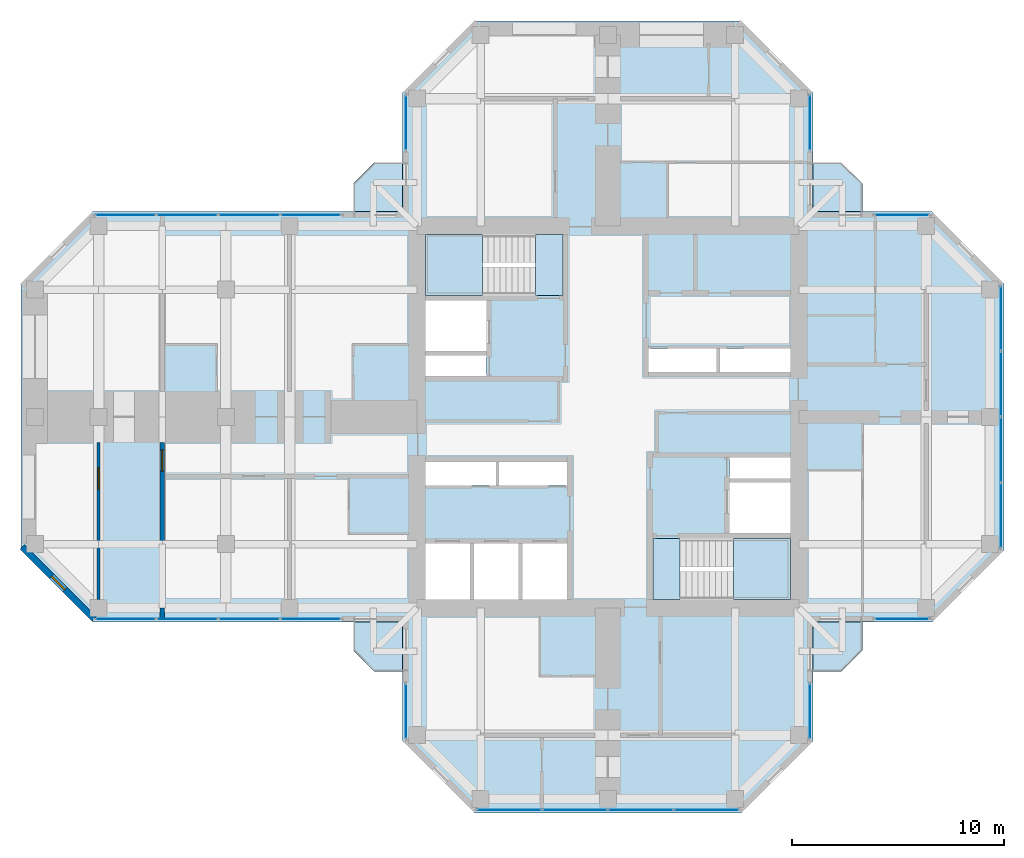
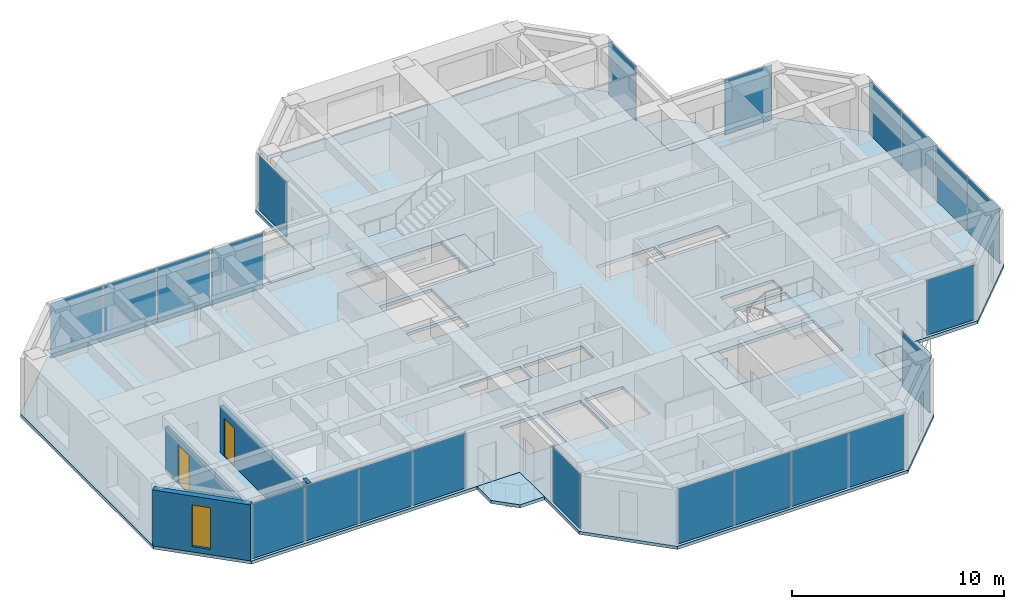
# One storey, part 7 of 13: 22 plates, 9 slabs, 4 walls, 2 doors, 1 window, 3 openings, 12 elements without a shape of their own.
"""IFC4 building model written with IfcOpenShell, lengths in metres."""

from ifc_helpers import new_model, si_unit, direction, frame, frame_2d, origin, origin_2d, place, context, subcontext, project, spatial, polyline, rectangle, hollow_rectangle, outline, extrude, material, layer, layer_set, constituent, constituent_set, type_object, element, fill, aggregate, save


model = new_model("IFC4")

# Units and contexts
model_context = context("Model", 3, precision=1e-05, world=origin(), true_north=direction((0.0, 1.0)))
body_context = subcontext(model_context, "Body", "Model", "MODEL_VIEW")
ifc_project = project(units=[si_unit("LENGTHUNIT", "METRE"), si_unit("AREAUNIT", "SQUARE_METRE"), si_unit("VOLUMEUNIT", "CUBIC_METRE"), si_unit("PLANEANGLEUNIT", "RADIAN"), si_unit("MASSUNIT", "GRAM", prefix="KILO")], contexts=[model_context])

# Site, building, storey
site_placement = place(None, origin())
site = spatial("IfcSite", under=ifc_project, at=site_placement, CompositionType="ELEMENT")
building_placement = place(site_placement, origin())
building = spatial("IfcBuilding", under=site, at=building_placement, Name="Torre Cruceta", CompositionType="ELEMENT")
storey_placement = place(building_placement, frame((0.0, 0.0, 245.89990234375)))
storey = spatial("IfcBuildingStorey", under=building, at=storey_placement, Name="L63", CompositionType="ELEMENT", Elevation=245.89990234375)

# Slabs
ifc_material_1 = material(Name="Concrete G35 (fck 35 MPa)", Category="concrete")
ifc_layer_1 = layer(ifc_material_1, 0.179931640625)
ifc_layer_set_1 = layer_set([ifc_layer_1], Name="Concrete G35 (fck 35 MPa)")
slab_type_1 = type_object("IfcSlabType", Name="BALCONY SLAB 180", PredefinedType="USERDEFINED", material=ifc_layer_set_1)
slab_1_placement = place(storey_placement, frame((0.0, 0.0, -0.179931640625)))
element("IfcSlab", 1, at=slab_1_placement, inside=storey, type_object=slab_type_1, Name="Balcony slab L63 N", ObjectType="BALCONY", PredefinedType="USERDEFINED", context=body_context, shape_type="SweptSolid", body=[
    extrude(outline(polyline([(-12.0, 11.0), (-11.0, 12.0), (-9.669921875, 12.0), (-9.669921875, 9.669921875), (-12.0, 9.669921875), (-12.0, 11.0)])), origin(), (0.0, 0.0, 1.0), 0.179931640625),
])
slab_2_placement = place(storey_placement, frame((0.0, 0.0, -0.179931640625)))
element("IfcSlab", 2, at=slab_2_placement, inside=storey, type_object=slab_type_1, Name="Balcony slab L63 E", ObjectType="BALCONY", PredefinedType="USERDEFINED", context=body_context, shape_type="SweptSolid", body=[
    extrude(outline(polyline([(11.0, 12.0), (12.0, 11.0), (12.0, 9.669921875), (9.669921875, 9.669921875), (9.669921875, 12.0), (11.0, 12.0)])), origin(), (0.0, 0.0, 1.0), 0.179931640625),
])
slab_3_placement = place(storey_placement, frame((0.0, 0.0, -0.179931640625)))
element("IfcSlab", 3, at=slab_3_placement, inside=storey, type_object=slab_type_1, Name="Balcony slab L63 S", ObjectType="BALCONY", PredefinedType="USERDEFINED", context=body_context, shape_type="SweptSolid", body=[
    extrude(outline(polyline([(12.0, -11.0), (11.0, -12.0), (9.669921875, -12.0), (9.669921875, -9.669921875), (12.0, -9.669921875), (12.0, -11.0)])), origin(), (0.0, 0.0, 1.0), 0.179931640625),
])
slab_4_placement = place(storey_placement, frame((0.0, 0.0, -0.179931640625)))
element("IfcSlab", 4, at=slab_4_placement, inside=storey, type_object=slab_type_1, Name="Balcony slab L63 W", ObjectType="BALCONY", PredefinedType="USERDEFINED", context=body_context, shape_type="SweptSolid", body=[
    extrude(outline(polyline([(-11.0, -12.0), (-12.0, -11.0), (-12.0, -9.669921875), (-9.669921875, -9.669921875), (-9.669921875, -12.0), (-11.0, -12.0)])), origin(), (0.0, 0.0, 1.0), 0.179931640625),
])

# Curtain wall, plate
ifc_material_2 = material(Name="Aluminium unitised curtain wall", Category="aluminium")
curtain_wall_type = type_object("IfcCurtainWallType", Name="CURTAIN WALL CW-D CO-LIVING UPPER", PredefinedType="USERDEFINED", material=ifc_material_2)
curtain_wall_1_placement = place(storey_placement, origin())
curtain_wall_1 = element("IfcCurtainWall", 5, at=curtain_wall_1_placement, inside=storey, type_object=curtain_wall_type, Name="CW-D L63 E tip 02", ObjectType="UNITISED", PredefinedType="USERDEFINED")
ifc_material_3 = material(Name="Laminated insulating glass unit, diagonal frit 50 %", Category="glass")
ifc_material_4 = material(Name="Laminated insulating glass unit, diagonal frit 50 %", Category="glass")
ifc_layer_2 = layer(ifc_material_4, 0.028076171875)
ifc_layer_set_2 = layer_set([ifc_layer_2], Name="Laminated insulating glass unit, diagonal frit 50 %")
plate_type_1 = type_object("IfcPlateType", Name="CW-D OPERABLE VENT PANEL 28", PredefinedType="CURTAIN_PANEL", material=ifc_layer_set_2)
plate_1_placement = place(storey_placement, frame((18.52001953125, -1.553955078125, 0.01025390625), z_axis=(0.0, 0.0, 1.0), x_axis=(0.0, 1.0, 0.0)))
plate_1 = element("IfcPlate", 6, at=plate_1_placement, type_object=plate_type_1, material=ifc_material_3, Name="CW-D vent 2", PredefinedType="CURTAIN_PANEL", context=body_context, shape_type="SweptSolid", body=[
    extrude(rectangle(XDim=3.047607421875, YDim=0.028076171875, at=origin_2d()), origin(), (0.0, 0.0, 1.0), 3.14990234375),
])

curtain_wall_2_placement = place(storey_placement, origin())
curtain_wall_2 = element("IfcCurtainWall", 7, at=curtain_wall_2_placement, inside=storey, type_object=curtain_wall_type, Name="CW-D L63 W side 10", ObjectType="UNITISED", PredefinedType="USERDEFINED")
plate_2_placement = place(storey_placement, frame((-16.90576171875, 9.52001953125, 0.01025390625), z_axis=(0.0, 0.0, 1.0), x_axis=(-1.0, 0.0, 0.0)))
plate_2 = element("IfcPlate", 8, at=plate_2_placement, type_object=plate_type_1, material=ifc_material_3, Name="CW-D vent 2", PredefinedType="CURTAIN_PANEL", context=body_context, shape_type="SweptSolid", body=[
    extrude(rectangle(XDim=2.86376953125, YDim=0.028076171875, at=origin_2d()), origin(), (0.0, 0.0, 1.0), 3.14990234375),
])

curtain_wall_3_placement = place(storey_placement, origin())
curtain_wall_3 = element("IfcCurtainWall", 9, at=curtain_wall_3_placement, inside=storey, type_object=curtain_wall_type, Name="CW-D L63 W side 14", ObjectType="UNITISED", PredefinedType="USERDEFINED")
plate_3_placement = place(storey_placement, frame((-19.82958984375, -9.52001953125, 0.01025390625), z_axis=(0.0, 0.0, 1.0), x_axis=(1.0, 0.0, 0.0)))
plate_3 = element("IfcPlate", 10, at=plate_3_placement, type_object=plate_type_1, material=ifc_material_3, Name="CW-D vent 2", PredefinedType="CURTAIN_PANEL", context=body_context, shape_type="SweptSolid", body=[
    extrude(rectangle(XDim=2.86376953125, YDim=0.028076171875, at=origin_2d()), origin(), (0.0, 0.0, 1.0), 3.14990234375),
])

curtain_wall_4_placement = place(storey_placement, origin())
curtain_wall_4 = element("IfcCurtainWall", 11, at=curtain_wall_4_placement, inside=storey, type_object=curtain_wall_type, Name="CW-D L63 S tip 17", ObjectType="UNITISED", PredefinedType="USERDEFINED")
plate_4_placement = place(storey_placement, frame((-1.553955078125, -18.52001953125, 0.01025390625), z_axis=(0.0, 0.0, 1.0), x_axis=(1.0, 0.0, 0.0)))
plate_4 = element("IfcPlate", 12, at=plate_4_placement, type_object=plate_type_1, material=ifc_material_3, Name="CW-D vent 2", PredefinedType="CURTAIN_PANEL", context=body_context, shape_type="SweptSolid", body=[
    extrude(rectangle(XDim=3.047607421875, YDim=0.028076171875, at=origin_2d()), origin(), (0.0, 0.0, 1.0), 3.14990234375),
])

curtain_wall_5_placement = place(storey_placement, origin())
curtain_wall_5 = element("IfcCurtainWall", 13, at=curtain_wall_5_placement, inside=storey, type_object=curtain_wall_type, Name="CW-D L63 E side 00", ObjectType="UNITISED", PredefinedType="USERDEFINED")
ifc_material_5 = material(Name="Laminated insulating glass unit, diagonal frit 50 %", Category="glass")
ifc_layer_3 = layer(ifc_material_5, 0.028076171875)
ifc_layer_set_3 = layer_set([ifc_layer_3], Name="Laminated insulating glass unit, diagonal frit 50 %")
plate_type_2 = type_object("IfcPlateType", Name="CW-D PANEL 28", PredefinedType="CURTAIN_PANEL", material=ifc_layer_set_3)
plate_5_placement = place(storey_placement, frame((13.86767578125, -9.52001953125, 0.01025390625), z_axis=(0.0, 0.0, 1.0), x_axis=(1.0, 0.0, 0.0)))
plate_5 = element("IfcPlate", 14, at=plate_5_placement, type_object=plate_type_2, material=ifc_material_3, Name="CW-D panel 1", PredefinedType="CURTAIN_PANEL", context=body_context, shape_type="SweptSolid", body=[
    extrude(rectangle(XDim=2.575439453125, YDim=0.028076171875, at=origin_2d()), origin(), (0.0, 0.0, 1.0), 3.14990234375),
])
aggregate(curtain_wall_5, [plate_5])

# Plate
plate_6_placement = place(storey_placement, frame((18.52001953125, -4.646484375, 0.01025390625), z_axis=(0.0, 0.0, 1.0), x_axis=(0.0, 1.0, 0.0)))
plate_6 = element("IfcPlate", 15, at=plate_6_placement, type_object=plate_type_2, material=ifc_material_3, Name="CW-D panel 1", PredefinedType="CURTAIN_PANEL", context=body_context, shape_type="SweptSolid", body=[
    extrude(rectangle(XDim=3.017578125, YDim=0.028076171875, at=origin_2d()), origin(), (0.0, 0.0, 1.0), 3.14990234375),
])

plate_7_placement = place(storey_placement, frame((18.52001953125, 1.553955078125, 0.01025390625), z_axis=(0.0, 0.0, 1.0), x_axis=(0.0, 1.0, 0.0)))
plate_7 = element("IfcPlate", 16, at=plate_7_placement, type_object=plate_type_2, material=ifc_material_3, Name="CW-D panel 3", PredefinedType="CURTAIN_PANEL", context=body_context, shape_type="SweptSolid", body=[
    extrude(rectangle(XDim=3.047607421875, YDim=0.028076171875, at=origin_2d()), origin(), (0.0, 0.0, 1.0), 3.14990234375),
])

ifc_material_6 = material(Name="Laminated insulating glass unit, low-iron clear", Category="glass")
plate_8_placement = place(storey_placement, frame((18.52001953125, 4.646484375, 0.01025390625), z_axis=(0.0, 0.0, 1.0), x_axis=(0.0, 1.0, 0.0)))
plate_8 = element("IfcPlate", 17, at=plate_8_placement, type_object=plate_type_2, material=ifc_material_6, Name="CW-D panel 4", PredefinedType="CURTAIN_PANEL", context=body_context, shape_type="SweptSolid", body=[
    extrude(rectangle(XDim=3.017578125, YDim=0.028076171875, at=origin_2d()), origin(), (0.0, 0.0, 1.0), 3.14990234375),
])

aggregate(curtain_wall_1, [plate_6, plate_1, plate_7, plate_8])

# Curtain wall, plate
curtain_wall_6_placement = place(storey_placement, origin())
curtain_wall_6 = element("IfcCurtainWall", 18, at=curtain_wall_6_placement, inside=storey, type_object=curtain_wall_type, Name="CW-D L63 E side 04", ObjectType="UNITISED", PredefinedType="USERDEFINED")
plate_9_placement = place(storey_placement, frame((13.86767578125, 9.52001953125, 0.01025390625), z_axis=(0.0, 0.0, 1.0), x_axis=(-1.0, 0.0, 0.0)))
plate_9 = element("IfcPlate", 19, at=plate_9_placement, type_object=plate_type_2, material=ifc_material_3, Name="CW-D panel 1", PredefinedType="CURTAIN_PANEL", context=body_context, shape_type="SweptSolid", body=[
    extrude(rectangle(XDim=2.575439453125, YDim=0.028076171875, at=origin_2d()), origin(), (0.0, 0.0, 1.0), 3.14990234375),
])
aggregate(curtain_wall_6, [plate_9])

curtain_wall_7_placement = place(storey_placement, origin())
curtain_wall_7 = element("IfcCurtainWall", 20, at=curtain_wall_7_placement, inside=storey, type_object=curtain_wall_type, Name="CW-D L63 N side 05", ObjectType="UNITISED", PredefinedType="USERDEFINED")
plate_10_placement = place(storey_placement, frame((9.52001953125, 13.86767578125, 0.01025390625), z_axis=(0.0, 0.0, 1.0), x_axis=(0.0, 1.0, 0.0)))
plate_10 = element("IfcPlate", 21, at=plate_10_placement, type_object=plate_type_2, material=ifc_material_3, Name="CW-D panel 1", PredefinedType="CURTAIN_PANEL", context=body_context, shape_type="SweptSolid", body=[
    extrude(rectangle(XDim=2.575439453125, YDim=0.028076171875, at=origin_2d()), origin(), (0.0, 0.0, 1.0), 3.14990234375),
])
aggregate(curtain_wall_7, [plate_10])

curtain_wall_8_placement = place(storey_placement, origin())
curtain_wall_8 = element("IfcCurtainWall", 22, at=curtain_wall_8_placement, inside=storey, type_object=curtain_wall_type, Name="CW-D L63 N side 09", ObjectType="UNITISED", PredefinedType="USERDEFINED")
plate_11_placement = place(storey_placement, frame((-9.52001953125, 13.86767578125, 0.01025390625), z_axis=(0.0, 0.0, 1.0), x_axis=(0.0, -1.0, 0.0)))
plate_11 = element("IfcPlate", 23, at=plate_11_placement, type_object=plate_type_2, material=ifc_material_3, Name="CW-D panel 1", PredefinedType="CURTAIN_PANEL", context=body_context, shape_type="SweptSolid", body=[
    extrude(rectangle(XDim=2.575439453125, YDim=0.028076171875, at=origin_2d()), origin(), (0.0, 0.0, 1.0), 3.14990234375),
])
aggregate(curtain_wall_8, [plate_11])

# Plate
plate_12_placement = place(storey_placement, frame((-13.996826171875, 9.52001953125, 0.01025390625), z_axis=(0.0, 0.0, 1.0), x_axis=(-1.0, 0.0, 0.0)))
plate_12 = element("IfcPlate", 24, at=plate_12_placement, type_object=plate_type_2, material=ifc_material_3, Name="CW-D panel 1", PredefinedType="CURTAIN_PANEL", context=body_context, shape_type="SweptSolid", body=[
    extrude(rectangle(XDim=2.833740234375, YDim=0.028076171875, at=origin_2d()), origin(), (0.0, 0.0, 1.0), 3.14990234375),
])

plate_13_placement = place(storey_placement, frame((-19.82958984375, 9.52001953125, 0.01025390625), z_axis=(0.0, 0.0, 1.0), x_axis=(-1.0, 0.0, 0.0)))
plate_13 = element("IfcPlate", 25, at=plate_13_placement, type_object=plate_type_2, material=ifc_material_3, Name="CW-D panel 3", PredefinedType="CURTAIN_PANEL", context=body_context, shape_type="SweptSolid", body=[
    extrude(rectangle(XDim=2.86376953125, YDim=0.028076171875, at=origin_2d()), origin(), (0.0, 0.0, 1.0), 3.14990234375),
])

plate_14_placement = place(storey_placement, frame((-22.738525390625, 9.52001953125, 0.01025390625), z_axis=(0.0, 0.0, 1.0), x_axis=(-1.0, 0.0, 0.0)))
plate_14 = element("IfcPlate", 26, at=plate_14_placement, type_object=plate_type_2, material=ifc_material_6, Name="CW-D panel 4", PredefinedType="CURTAIN_PANEL", context=body_context, shape_type="SweptSolid", body=[
    extrude(rectangle(XDim=2.833740234375, YDim=0.028076171875, at=origin_2d()), origin(), (0.0, 0.0, 1.0), 3.14990234375),
])

aggregate(curtain_wall_2, [plate_12, plate_2, plate_13, plate_14])

plate_15_placement = place(storey_placement, frame((-22.738525390625, -9.52001953125, 0.01025390625), z_axis=(0.0, 0.0, 1.0), x_axis=(1.0, 0.0, 0.0)))
plate_15 = element("IfcPlate", 27, at=plate_15_placement, type_object=plate_type_2, material=ifc_material_3, Name="CW-D panel 1", PredefinedType="CURTAIN_PANEL", context=body_context, shape_type="SweptSolid", body=[
    extrude(rectangle(XDim=2.833740234375, YDim=0.028076171875, at=origin_2d()), origin(), (0.0, 0.0, 1.0), 3.14990234375),
])

plate_16_placement = place(storey_placement, frame((-16.90576171875, -9.52001953125, 0.01025390625), z_axis=(0.0, 0.0, 1.0), x_axis=(1.0, 0.0, 0.0)))
plate_16 = element("IfcPlate", 28, at=plate_16_placement, type_object=plate_type_2, material=ifc_material_3, Name="CW-D panel 3", PredefinedType="CURTAIN_PANEL", context=body_context, shape_type="SweptSolid", body=[
    extrude(rectangle(XDim=2.86376953125, YDim=0.028076171875, at=origin_2d()), origin(), (0.0, 0.0, 1.0), 3.14990234375),
])

plate_17_placement = place(storey_placement, frame((-13.996826171875, -9.52001953125, 0.01025390625), z_axis=(0.0, 0.0, 1.0), x_axis=(1.0, 0.0, 0.0)))
plate_17 = element("IfcPlate", 29, at=plate_17_placement, type_object=plate_type_2, material=ifc_material_6, Name="CW-D panel 4", PredefinedType="CURTAIN_PANEL", context=body_context, shape_type="SweptSolid", body=[
    extrude(rectangle(XDim=2.833740234375, YDim=0.028076171875, at=origin_2d()), origin(), (0.0, 0.0, 1.0), 3.14990234375),
])

aggregate(curtain_wall_3, [plate_15, plate_3, plate_16, plate_17])

# Curtain wall, plate
curtain_wall_9_placement = place(storey_placement, origin())
curtain_wall_9 = element("IfcCurtainWall", 30, at=curtain_wall_9_placement, inside=storey, type_object=curtain_wall_type, Name="CW-D L63 S side 15", ObjectType="UNITISED", PredefinedType="USERDEFINED")
plate_18_placement = place(storey_placement, frame((-9.52001953125, -13.86767578125, 0.01025390625), z_axis=(0.0, 0.0, 1.0), x_axis=(0.0, -1.0, 0.0)))
plate_18 = element("IfcPlate", 31, at=plate_18_placement, type_object=plate_type_2, material=ifc_material_3, Name="CW-D panel 1", PredefinedType="CURTAIN_PANEL", context=body_context, shape_type="SweptSolid", body=[
    extrude(rectangle(XDim=2.575439453125, YDim=0.028076171875, at=origin_2d()), origin(), (0.0, 0.0, 1.0), 3.14990234375),
])
aggregate(curtain_wall_9, [plate_18])

# Plate
plate_19_placement = place(storey_placement, frame((-4.646484375, -18.52001953125, 0.01025390625), z_axis=(0.0, 0.0, 1.0), x_axis=(1.0, 0.0, 0.0)))
plate_19 = element("IfcPlate", 32, at=plate_19_placement, type_object=plate_type_2, material=ifc_material_3, Name="CW-D panel 1", PredefinedType="CURTAIN_PANEL", context=body_context, shape_type="SweptSolid", body=[
    extrude(rectangle(XDim=3.017578125, YDim=0.028076171875, at=origin_2d()), origin(), (0.0, 0.0, 1.0), 3.14990234375),
])

plate_20_placement = place(storey_placement, frame((1.553955078125, -18.52001953125, 0.01025390625), z_axis=(0.0, 0.0, 1.0), x_axis=(1.0, 0.0, 0.0)))
plate_20 = element("IfcPlate", 33, at=plate_20_placement, type_object=plate_type_2, material=ifc_material_3, Name="CW-D panel 3", PredefinedType="CURTAIN_PANEL", context=body_context, shape_type="SweptSolid", body=[
    extrude(rectangle(XDim=3.047607421875, YDim=0.028076171875, at=origin_2d()), origin(), (0.0, 0.0, 1.0), 3.14990234375),
])

plate_21_placement = place(storey_placement, frame((4.646484375, -18.52001953125, 0.01025390625), z_axis=(0.0, 0.0, 1.0), x_axis=(1.0, 0.0, 0.0)))
plate_21 = element("IfcPlate", 34, at=plate_21_placement, type_object=plate_type_2, material=ifc_material_6, Name="CW-D panel 4", PredefinedType="CURTAIN_PANEL", context=body_context, shape_type="SweptSolid", body=[
    extrude(rectangle(XDim=3.017578125, YDim=0.028076171875, at=origin_2d()), origin(), (0.0, 0.0, 1.0), 3.14990234375),
])

aggregate(curtain_wall_4, [plate_19, plate_4, plate_20, plate_21])

# Curtain wall, plate
curtain_wall_10_placement = place(storey_placement, origin())
curtain_wall_10 = element("IfcCurtainWall", 35, at=curtain_wall_10_placement, inside=storey, type_object=curtain_wall_type, Name="CW-D L63 S side 19", ObjectType="UNITISED", PredefinedType="USERDEFINED")
plate_22_placement = place(storey_placement, frame((9.52001953125, -13.86767578125, 0.01025390625), z_axis=(0.0, 0.0, 1.0), x_axis=(0.0, 1.0, 0.0)))
plate_22 = element("IfcPlate", 36, at=plate_22_placement, type_object=plate_type_2, material=ifc_material_3, Name="CW-D panel 1", PredefinedType="CURTAIN_PANEL", context=body_context, shape_type="SweptSolid", body=[
    extrude(rectangle(XDim=2.575439453125, YDim=0.028076171875, at=origin_2d()), origin(), (0.0, 0.0, 1.0), 3.14990234375),
])
aggregate(curtain_wall_10, [plate_22])

# Slab
ifc_material_7 = material(Name="Concrete G35 (fck 35 MPa)", Category="concrete")
ifc_layer_4 = layer(ifc_material_7, 0.179931640625)
ifc_layer_set_4 = layer_set([ifc_layer_4], Name="Concrete G35 (fck 35 MPa)")
slab_type_2 = type_object("IfcSlabType", Name="FLOOR SLAB 180", PredefinedType="FLOOR", material=ifc_layer_set_4)
slab_5_placement = place(storey_placement, frame((0.0, 0.0, -0.179931640625)))
element("IfcSlab", 37, at=slab_5_placement, inside=storey, type_object=slab_type_2, Name="Floor Slab L63", PredefinedType="FLOOR", context=body_context, shape_type="SweptSolid", body=[
    extrude(outline(polyline([(9.669921875, -9.669921875), (9.669921875, -15.277587890625), (6.277587890625, -18.669921875), (-6.277587890625, -18.669921875), (-9.669921875, -15.277587890625), (-9.669921875, -9.669921875), (-24.277587890625, -9.669921875), (-27.669921875, -6.277587890625), (-27.669921875, 6.277587890625), (-24.277587890625, 9.669921875), (-9.669921875, 9.669921875), (-9.669921875, 15.277587890625), (-6.277587890625, 18.669921875), (6.277587890625, 18.669921875), (9.669921875, 15.277587890625), (9.669921875, 9.669921875), (15.277587890625, 9.669921875), (18.669921875, 6.277587890625), (18.669921875, -6.277587890625), (15.277587890625, -9.669921875), (9.669921875, -9.669921875)]), holes=[polyline([(1.925048828125, 2.125), (5.125, 2.125), (5.125, 3.22509765625), (1.925048828125, 3.22509765625), (1.925048828125, 2.125)]), polyline([(5.27490234375, 2.125), (8.60009765625, 2.125), (8.60009765625, 3.22509765625), (5.27490234375, 3.22509765625), (5.27490234375, 2.125)]), polyline([(-8.60009765625, 3.10009765625), (-5.72509765625, 3.10009765625), (-5.72509765625, 5.47509765625), (-8.60009765625, 5.47509765625), (-8.60009765625, 3.10009765625)]), polyline([(-8.60009765625, 1.925048828125), (-5.72509765625, 1.925048828125), (-5.72509765625, 2.89990234375), (-8.60009765625, 2.89990234375), (-8.60009765625, 1.925048828125)]), polyline([(-4.0166015625, -8.60009765625), (-1.925048828125, -8.60009765625), (-1.925048828125, -5.97509765625), (-4.0166015625, -5.97509765625), (-4.0166015625, -8.60009765625)]), polyline([(-6.308349609375, -8.60009765625), (-4.216552734375, -8.60009765625), (-4.216552734375, -5.97509765625), (-6.308349609375, -5.97509765625), (-6.308349609375, -8.60009765625)]), polyline([(-8.60009765625, -8.60009765625), (-6.50830078125, -8.60009765625), (-6.50830078125, -5.97509765625), (-8.60009765625, -5.97509765625), (-8.60009765625, -8.60009765625)]), polyline([(-5.125, -3.22509765625), (-1.925048828125, -3.22509765625), (-1.925048828125, -2.125), (-5.125, -2.125), (-5.125, -3.22509765625)]), polyline([(-8.60009765625, -3.22509765625), (-5.27490234375, -3.22509765625), (-5.27490234375, -2.125), (-8.60009765625, -2.125), (-8.60009765625, -3.22509765625)]), polyline([(5.72509765625, -5.47509765625), (8.60009765625, -5.47509765625), (8.60009765625, -3.10009765625), (5.72509765625, -3.10009765625), (5.72509765625, -5.47509765625)]), polyline([(5.72509765625, -2.89990234375), (8.60009765625, -2.89990234375), (8.60009765625, -1.925048828125), (5.72509765625, -1.925048828125), (5.72509765625, -2.89990234375)]), polyline([(-8.60009765625, 5.72509765625), (-8.60009765625, 8.60009765625), (-3.39990234375, 8.60009765625), (-2.125, 8.60009765625), (-2.125, 5.72509765625), (-3.39990234375, 5.72509765625), (-8.60009765625, 5.72509765625)]), polyline([(2.125, -5.72509765625), (3.39990234375, -5.72509765625), (8.60009765625, -5.72509765625), (8.60009765625, -8.60009765625), (3.39990234375, -8.60009765625), (2.125, -8.60009765625), (2.125, -5.72509765625)])]), origin(), (0.0, 0.0, 1.0), 0.179931640625),
])

# Stair, slab
ifc_material_8 = material(Name="Concrete G30 (fck 30 MPa)", Category="concrete")
stair_type = type_object("IfcStairType", Name="STAIR HALF-TURN 1300", PredefinedType="HALF_TURN_STAIR", material=ifc_material_8)
stair_1_placement = place(storey_placement, origin())
stair_1 = element("IfcStair", 38, at=stair_1_placement, inside=storey, type_object=stair_type, Name="Stair ST1 L63", PredefinedType="HALF_TURN_STAIR")
ifc_material_9 = material(Name="Concrete G30 (fck 30 MPa)", Category="concrete")
ifc_layer_5 = layer(ifc_material_9, 0.199951171875)
ifc_layer_set_5 = layer_set([ifc_layer_5], Name="Concrete G30 (fck 30 MPa)")
slab_type_3 = type_object("IfcSlabType", Name="STAIR LANDING 200", PredefinedType="LANDING", material=ifc_layer_set_5)
slab_6_placement = place(storey_placement, frame((0.0, 0.0, 1.5)))
slab_6 = element("IfcSlab", 39, at=slab_6_placement, type_object=slab_type_3, Name="ST1 landing 1", PredefinedType="LANDING", context=body_context, shape_type="SweptSolid", body=[
    extrude(outline(polyline([(-8.60009765625, 5.72509765625), (-5.919921875, 5.72509765625), (-5.919921875, 8.60009765625), (-8.60009765625, 8.60009765625), (-8.60009765625, 5.72509765625)])), origin(), (0.0, 0.0, 1.0), 0.2001953125),
])
aggregate(stair_1, [slab_6])

stair_2_placement = place(storey_placement, origin())
stair_2 = element("IfcStair", 40, at=stair_2_placement, inside=storey, type_object=stair_type, Name="Stair ST2 L63", PredefinedType="HALF_TURN_STAIR")
slab_7_placement = place(storey_placement, frame((0.0, 0.0, 1.5)))
slab_7 = element("IfcSlab", 41, at=slab_7_placement, type_object=slab_type_3, Name="ST2 landing 1", PredefinedType="LANDING", context=body_context, shape_type="SweptSolid", body=[
    extrude(outline(polyline([(5.919921875, -8.60009765625), (8.60009765625, -8.60009765625), (8.60009765625, -5.72509765625), (5.919921875, -5.72509765625), (5.919921875, -8.60009765625)])), origin(), (0.0, 0.0, 1.0), 0.2001953125),
])
aggregate(stair_2, [slab_7])

# Slabs
slab_8_placement = place(storey_placement, frame((0.0, 0.0, -0.199951171875)))
element("IfcSlab", 42, at=slab_8_placement, inside=storey, type_object=slab_type_3, Name="Stair ST1 floor landing L63", PredefinedType="LANDING", context=body_context, shape_type="SweptSolid", body=[
    extrude(outline(polyline([(-2.125, 8.60009765625), (-2.125, 5.72509765625), (-3.39990234375, 5.72509765625), (-3.39990234375, 8.60009765625), (-2.125, 8.60009765625)])), origin(), (0.0, 0.0, 1.0), 0.199951171875),
])
slab_9_placement = place(storey_placement, frame((0.0, 0.0, -0.199951171875)))
element("IfcSlab", 43, at=slab_9_placement, inside=storey, type_object=slab_type_3, Name="Stair ST2 floor landing L63", PredefinedType="LANDING", context=body_context, shape_type="SweptSolid", body=[
    extrude(outline(polyline([(2.125, -8.60009765625), (2.125, -5.72509765625), (3.39990234375, -5.72509765625), (3.39990234375, -8.60009765625), (2.125, -8.60009765625)])), origin(), (0.0, 0.0, 1.0), 0.199951171875),
])

# Wall, opening, window
ifc_material_10 = material(Name="Concrete G30 (fck 30 MPa)", Category="concrete")
ifc_layer_6 = layer(ifc_material_10, 0.300048828125)
ifc_layer_set_6 = layer_set([ifc_layer_6], Name="Concrete G30 (fck 30 MPa)")
wall_type_1 = type_object("IfcWallType", Name="EXPOSED CONCRETE FACADE WALL 300", PredefinedType="SOLIDWALL", material=ifc_layer_set_6)
wall_1_placement = place(storey_placement, frame((-27.60009765625, -6.135498046875, 0.0), z_axis=(0.0, 0.0, 1.0), x_axis=(0.707132283189, -0.707081278264, 0.0)))
wall_1 = element("IfcWall", 44, at=wall_1_placement, inside=storey, type_object=wall_type_1, Name="EW1 facade wall L63 W chamfer 13", PredefinedType="SOLIDWALL", context=body_context, shape_type="SweptSolid", body=[
    extrude(rectangle(XDim=4.78662109375, YDim=0.300048828125, at=frame_2d((2.393310546875, 0.0))), origin(), (0.0, 0.0, 1.0), 3.22021484375),
])
opening_1_placement = place(wall_1_placement, frame((1.943359375, 0.0, 0.300048828125)))
opening_1 = element("IfcOpeningElement", 45, at=opening_1_placement, cuts=wall_1, Name="Opening WN5", PredefinedType="OPENING", context=body_context, shape_type="SweptSolid", body=[
    extrude(rectangle(XDim=0.89990234375, YDim=2.39990234375, at=frame_2d((0.449951171875, 1.199951171875))), frame((0.0, 0.159912109375, 0.0), z_axis=(0.0, -1.0, 0.0), x_axis=(1.0, 0.0, 0.0)), (0.0, 0.0, 1.0), 0.320068359375),
])
ifc_material_11 = material(Name="Aluminium window frame", Category="aluminium")
ifc_constituent_1 = constituent(ifc_material_11, Name="Frame")
ifc_material_12 = material(Name="Laminated insulating glass unit, low-iron clear", Category="glass")
ifc_constituent_2 = constituent(ifc_material_12, Name="Glazing")
ifc_constituent_set_1 = constituent_set(constituents=[ifc_constituent_1, ifc_constituent_2], Name="Aluminium window")
window_type = type_object("IfcWindowType", Name="CHAMFER SLOT WINDOW 900X2400", PartitioningType="SINGLE_PANEL", PredefinedType="WINDOW", material=ifc_constituent_set_1)
window_placement = place(opening_1_placement, origin())
window = element("IfcWindow", 46, at=window_placement, inside=storey, type_object=window_type, Name="WN5 L63 W 1", OverallHeight=2.39990234375, OverallWidth=0.89990234375, PartitioningType="SINGLE_PANEL", PredefinedType="WINDOW", context=body_context, shape_type="SweptSolid", body=[
    extrude(hollow_rectangle(XDim=0.89990234375, YDim=2.39990234375, WallThickness=0.06005859375, at=frame_2d((0.449951171875, 1.199951171875))), frame((0.0, 0.030029296875, 0.0), z_axis=(0.0, -1.0, 0.0), x_axis=(1.0, 0.0, 0.0)), (0.0, 0.0, 1.0), 0.06005859375),
    extrude(rectangle(XDim=0.77880859375, YDim=2.27880859375, at=frame_2d((0.449951171875, 1.199951171875))), frame((0.0, 0.030029296875, 0.0), z_axis=(0.0, -1.0, 0.0), x_axis=(1.0, 0.0, 0.0)), (0.0, 0.0, 1.0), 0.06005859375),
])
fill(opening_1, window)

# Wall, opening, door
ifc_material_13 = material(Name="Plasterboard on steel studs", Category="steel")
ifc_layer_7 = layer(ifc_material_13, 0.14990234375)
ifc_layer_set_7 = layer_set([ifc_layer_7], Name="Plasterboard on steel studs")
wall_type_2 = type_object("IfcWallType", Name="PARTITION 150", PredefinedType="PARTITIONING", material=ifc_layer_set_7)
wall_2_placement = place(storey_placement, frame((-24.0, -1.199951171875, 0.0), z_axis=(0.0, 0.0, 1.0), x_axis=(0.0, -1.0, 0.0)))
wall_2 = element("IfcWall", 47, at=wall_2_placement, inside=storey, type_object=wall_type_2, Name="PT1 L63-W-ENDX", PredefinedType="PARTITIONING", context=body_context, shape_type="SweptSolid", body=[
    extrude(rectangle(XDim=7.400146484375, YDim=0.14990234375, at=frame_2d((3.7001953125, 0.0))), origin(), (0.0, 0.0, 1.0), 2.52001953125),
])
opening_2_placement = place(wall_2_placement, frame((1.199951171875, 0.0, 0.0)))
opening_2 = element("IfcOpeningElement", 48, at=opening_2_placement, cuts=wall_2, Name="Opening D14", PredefinedType="OPENING", context=body_context, shape_type="SweptSolid", body=[
    extrude(rectangle(XDim=1.0, YDim=2.199951171875, at=frame_2d((0.5, 1.10009765625))), frame((0.0, 0.0849609375, 0.0), z_axis=(0.0, -1.0, 0.0), x_axis=(1.0, 0.0, 0.0)), (0.0, 0.0, 1.0), 0.169921875),
])
ifc_material_14 = material(Name="Steel DX51D", Category="steel")
ifc_constituent_3 = constituent(ifc_material_14, Name="Leaf and frame")
ifc_material_15 = material(Name="Polyester powder coating", Category="paint")
ifc_constituent_4 = constituent(ifc_material_15, Name="Finish")
ifc_material_16 = material(Name="Fire-resisting glass", Category="glass")
ifc_constituent_5 = constituent(ifc_material_16, Name="Vision panel")
ifc_constituent_set_2 = constituent_set(constituents=[ifc_constituent_3, ifc_constituent_4, ifc_constituent_5], Name="Steel fire door with vision panel")
door_type = type_object("IfcDoorType", Name="FIRE DOOR VISION PANEL 1000X2200", OperationType="SINGLE_SWING_RIGHT", PredefinedType="DOOR", material=ifc_constituent_set_2)
door_1_placement = place(opening_2_placement, frame((1.0, 0.0, 0.0), z_axis=(0.0, 0.0, 1.0), x_axis=(-1.0, 0.0, 0.0)))
door_1 = element("IfcDoor", 49, at=door_1_placement, inside=storey, type_object=door_type, Name="D14 L63-W-ENDX-D1", OperationType="SINGLE_SWING_RIGHT", OverallHeight=2.199951171875, OverallWidth=1.0, PredefinedType="DOOR", context=body_context, shape_type="SweptSolid", body=[
    extrude(rectangle(XDim=1.0, YDim=2.199951171875, at=frame_2d((0.5, 1.10009765625))), frame((0.0, 0.025146484375, 0.0), z_axis=(0.0, -1.0, 0.0), x_axis=(1.0, 0.0, 0.0)), (0.0, 0.0, 1.0), 0.050048828125),
])
fill(opening_2, door_1)

ifc_material_17 = material(Name="Concrete G25 (fck 25 MPa)", Category="concrete")
ifc_layer_8 = layer(ifc_material_17, 0.199951171875)
ifc_layer_set_8 = layer_set([ifc_layer_8], Name="Concrete G25 (fck 25 MPa)")
wall_type_3 = type_object("IfcWallType", Name="UNIT SEPARATING WALL 200", PredefinedType="SOLIDWALL", material=ifc_layer_set_8)
wall_3_placement = place(storey_placement, frame((-21.0, -1.199951171875, 0.0), z_axis=(0.0, 0.0, 1.0), x_axis=(0.0, -1.0, 0.0)))
wall_3 = element("IfcWall", 50, at=wall_3_placement, inside=storey, type_object=wall_type_3, Name="PT2 L63-W-ENDb", PredefinedType="SOLIDWALL", context=body_context, shape_type="SweptSolid", body=[
    extrude(rectangle(XDim=7.800048828125, YDim=0.199951171875, at=frame_2d((3.89990234375, 0.0))), origin(), (0.0, 0.0, 1.0), 2.670166015625),
])
opening_3_placement = place(wall_3_placement, frame((0.35009765625, 0.0, 0.0)))
opening_3 = element("IfcOpeningElement", 51, at=opening_3_placement, cuts=wall_3, Name="Opening D14", PredefinedType="OPENING", context=body_context, shape_type="SweptSolid", body=[
    extrude(rectangle(XDim=1.0, YDim=2.199951171875, at=frame_2d((0.5, 1.10009765625))), frame((0.0, 0.10986328125, 0.0), z_axis=(0.0, -1.0, 0.0), x_axis=(1.0, 0.0, 0.0)), (0.0, 0.0, 1.0), 0.219970703125),
])
door_2_placement = place(opening_3_placement, frame((1.0, 0.0, 0.0), z_axis=(0.0, 0.0, 1.0), x_axis=(-1.0, 0.0, 0.0)))
door_2 = element("IfcDoor", 52, at=door_2_placement, inside=storey, type_object=door_type, Name="D14 L63-W-ENDb-D1", OperationType="SINGLE_SWING_RIGHT", OverallHeight=2.199951171875, OverallWidth=1.0, PredefinedType="DOOR", context=body_context, shape_type="SweptSolid", body=[
    extrude(rectangle(XDim=1.0, YDim=2.199951171875, at=frame_2d((0.5, 1.10009765625))), frame((0.0, 0.025146484375, 0.0), z_axis=(0.0, -1.0, 0.0), x_axis=(1.0, 0.0, 0.0)), (0.0, 0.0, 1.0), 0.050048828125),
])
fill(opening_3, door_2)

# Wall
wall_4_placement = place(storey_placement, frame((-21.0, -9.0, 0.0), z_axis=(0.0, 0.0, 1.0), x_axis=(0.0, -1.0, 0.0)))
element("IfcWall", 53, at=wall_4_placement, inside=storey, type_object=wall_type_3, Name="PT2 L63-W-ENDb 2", PredefinedType="SOLIDWALL", context=body_context, shape_type="SweptSolid", body=[
    extrude(rectangle(XDim=0.47998046875, YDim=0.199951171875, at=frame_2d((0.239990234375, 0.0))), origin(), (0.0, 0.0, 1.0), 3.22021484375),
])

save(model, "model.ifc")
